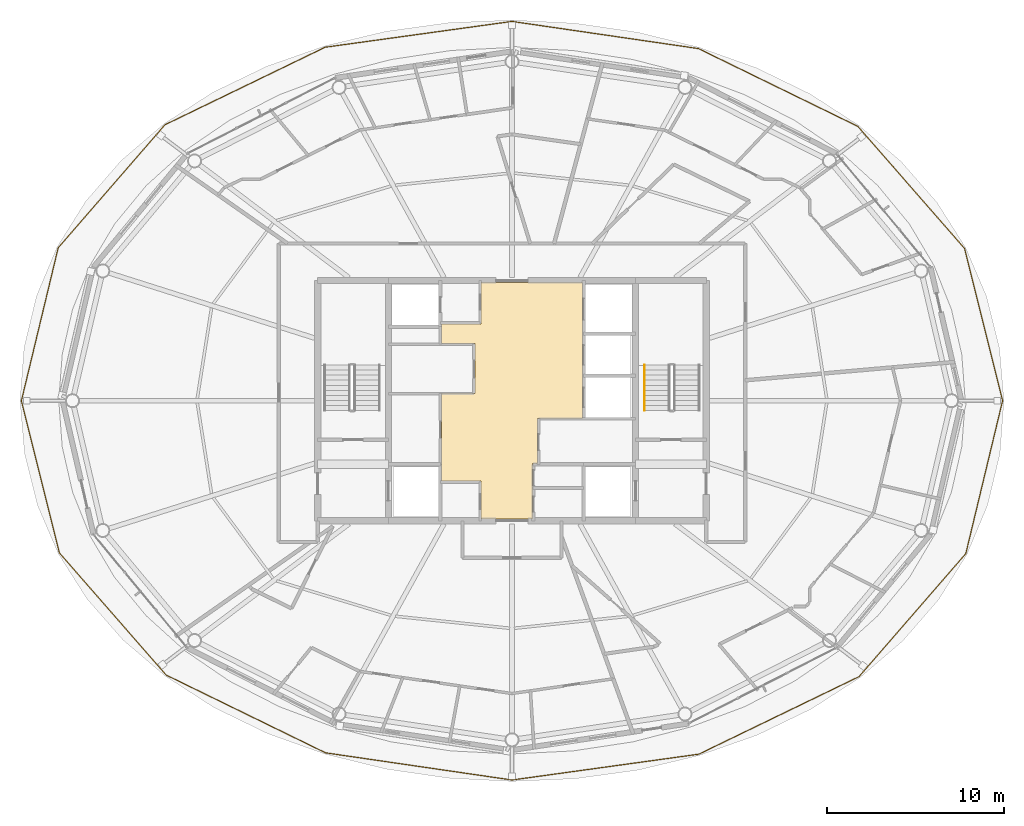
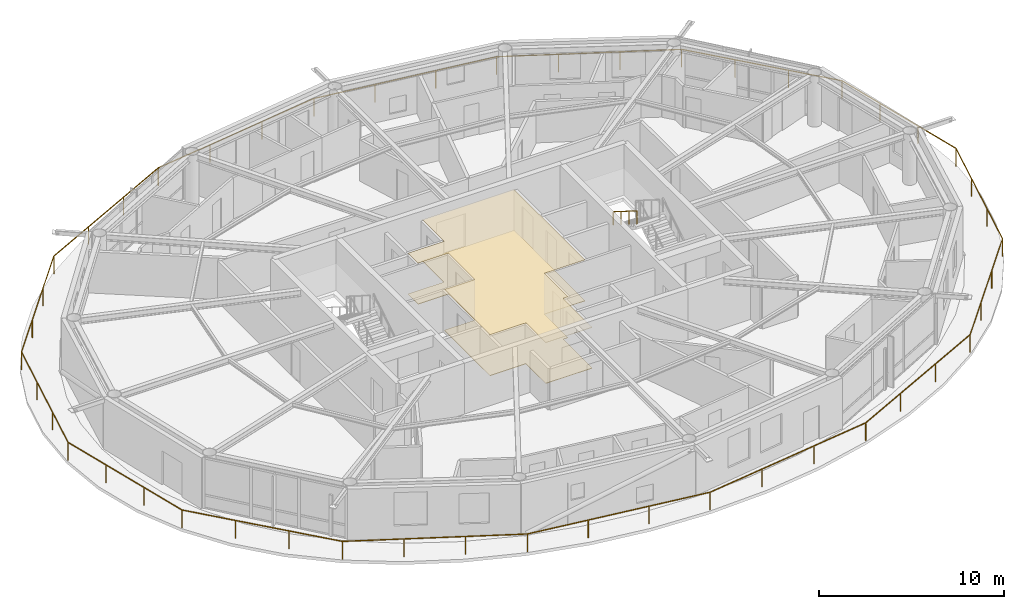
# One storey, part 22 of 23: 2 coverings, 2 railings.
"""IFC4 building model written with IfcOpenShell, lengths in metres."""

from ifc_helpers import new_model, si_unit, direction, frame, origin, origin_2d, place, context, subcontext, project, spatial, polyline, rectangle, outline, extrude, material, layer, layer_set, type_object, element, save


model = new_model("IFC4")

# Units and contexts
model_context = context("Model", 3, precision=1e-05, world=origin(), true_north=direction((0.0, 1.0)))
body_context = subcontext(model_context, "Body", "Model", "MODEL_VIEW")
ifc_project = project(units=[si_unit("LENGTHUNIT", "METRE"), si_unit("AREAUNIT", "SQUARE_METRE"), si_unit("VOLUMEUNIT", "CUBIC_METRE"), si_unit("PLANEANGLEUNIT", "RADIAN"), si_unit("MASSUNIT", "GRAM", prefix="KILO")], contexts=[model_context])

# Site, building, storey
site_placement = place(None, origin())
site = spatial("IfcSite", under=ifc_project, at=site_placement, CompositionType="ELEMENT")
building_placement = place(site_placement, origin())
building = spatial("IfcBuilding", under=site, at=building_placement, Name="Sarneth Arch Tower", CompositionType="ELEMENT")
storey_placement = place(building_placement, frame((0.0, 0.0, 273.0)))
storey = spatial("IfcBuildingStorey", under=building, at=storey_placement, Name="L70", CompositionType="ELEMENT", Elevation=273.0)

# Coverings
ifc_material_1 = material(Name="Perforated acoustic gypsum ceiling board")
ifc_layer_1 = layer(ifc_material_1, 0.02490234375)
ifc_layer_set_1 = layer_set([ifc_layer_1], Name="Perforated acoustic gypsum ceiling board")
covering_type_1 = type_object("IfcCoveringType", Name="COV-CEIL-GYP", PredefinedType="CEILING", material=ifc_layer_set_1)
covering_1_placement = place(storey_placement, frame((0.0, 0.0, 2.699951171875)))
element("IfcCovering", 1, at=covering_1_placement, inside=storey, type_object=covering_type_1, Name="L70 Lift lobby acoustic ceiling", PredefinedType="CEILING", context=body_context, shape_type="SweptSolid", body=[
    extrude(outline(polyline([(49.449951171875, 41.0), (49.449951171875, 38.449951171875), (49.14990234375, 38.449951171875), (49.14990234375, 35.300048828125), (46.25, 35.300048828125), (46.25, 37.449951171875), (44.0, 37.449951171875), (44.0, 42.39990234375), (45.89990234375, 42.39990234375), (45.89990234375, 45.25), (44.0, 45.25), (44.0, 46.35009765625), (46.25, 46.35009765625), (46.25, 48.699951171875), (52.0, 48.699951171875), (52.0, 41.0), (49.449951171875, 41.0)])), origin(), (0.0, 0.0, 1.0), 0.030029296875),
])
ifc_material_2 = material(Name="Honed granite stone flooring", Category="masonry")
ifc_layer_2 = layer(ifc_material_2, 0.030029296875)
ifc_layer_set_2 = layer_set([ifc_layer_2], Name="Honed granite stone flooring")
covering_type_2 = type_object("IfcCoveringType", Name="COV-FLR-STONE", PredefinedType="FLOORING", material=ifc_layer_set_2)
covering_2_placement = place(storey_placement, origin())
element("IfcCovering", 2, at=covering_2_placement, inside=storey, type_object=covering_type_2, Name="L70 Lift lobby granite flooring", PredefinedType="FLOORING", context=body_context, shape_type="SweptSolid", body=[
    extrude(outline(polyline([(49.449951171875, 41.0), (49.449951171875, 38.449951171875), (49.14990234375, 38.449951171875), (49.14990234375, 35.300048828125), (46.25, 35.300048828125), (46.25, 37.449951171875), (44.0, 37.449951171875), (44.0, 42.39990234375), (45.89990234375, 42.39990234375), (45.89990234375, 45.25), (44.0, 45.25), (44.0, 46.35009765625), (46.25, 46.35009765625), (46.25, 48.699951171875), (52.0, 48.699951171875), (52.0, 41.0), (49.449951171875, 41.0)])), origin(), (0.0, 0.0, 1.0), 0.030029296875),
])

# Railings
ifc_material_3 = material(Name="Laminated structural glass infill with Stainless Steel 316 top rail and posts", Category="steel")
railing_type_1 = type_object("IfcRailingType", Name="RAIL-BALC-1200", PredefinedType="BALUSTRADE", material=ifc_material_3)
railing_1_placement = place(storey_placement, frame((75.77587890625, 42.0, 0.0)))
element("IfcRailing", 3, at=railing_1_placement, inside=storey, type_object=railing_type_1, Name="L70 Helical balcony glass balustrade", PredefinedType="BALUSTRADE", context=body_context, shape_type="SweptSolid", body=[
    extrude(rectangle(XDim=0.048095703125, YDim=0.048095703125, at=origin_2d()), frame((0.0, 0.0, 1.17578125), z_axis=(-0.242322241881, 0.970195821002, 0.0), x_axis=(-0.970195821002, -0.242322241881, 0.0)), (0.0, 0.0, 1.0), 8.88427734375),
    extrude(rectangle(XDim=0.048095703125, YDim=0.048095703125, at=origin_2d()), frame((-2.15283203125, 8.619384765625, 1.17578125), z_axis=(-0.658067679289, 0.752958783384, 0.0), x_axis=(-0.752958783384, -0.658067679289, 0.0)), (0.0, 0.0, 1.0), 9.179931640625),
    extrude(rectangle(XDim=0.048095703125, YDim=0.048095703125, at=origin_2d()), frame((-8.19384765625, 15.531494140625, 1.17578125), z_axis=(-0.898730601607, 0.438501203802, 0.0), x_axis=(-0.438501203802, -0.898730601607, 0.0)), (0.0, 0.0, 1.0), 10.045166015625),
    extrude(rectangle(XDim=0.048095703125, YDim=0.048095703125, at=origin_2d()), frame((-17.2216796875, 19.936279296875, 1.17578125), z_axis=(-0.989540742628, 0.144253660885, 0.0), x_axis=(-0.144253660885, -0.989540742628, 0.0)), (0.0, 0.0, 1.0), 10.665771484375),
    extrude(rectangle(XDim=0.048095703125, YDim=0.048095703125, at=origin_2d()), frame((-27.77587890625, 21.474853515625, 1.17578125), z_axis=(-0.990578611363, -0.136945298238, 0.0), x_axis=(0.136945298238, -0.990578611363, 0.0)), (0.0, 0.0, 1.0), 10.6787109375),
    extrude(rectangle(XDim=0.048095703125, YDim=0.048095703125, at=origin_2d()), frame((-38.35400390625, 20.012451171875, 1.17578125), z_axis=(-0.900108693958, -0.435665398053, 0.0), x_axis=(0.435665398053, -0.900108693958, 0.0)), (0.0, 0.0, 1.0), 10.07861328125),
    extrude(rectangle(XDim=0.048095703125, YDim=0.048095703125, at=origin_2d()), frame((-47.42578125, 15.62158203125, 1.17578125), z_axis=(-0.655413300082, -0.755270419172, 0.0), x_axis=(0.755270419172, -0.655413300082, 0.0)), (0.0, 0.0, 1.0), 9.2197265625),
    extrude(rectangle(XDim=0.048095703125, YDim=0.048095703125, at=origin_2d()), frame((-53.468505859375, 8.658203125, 1.17578125), z_axis=(-0.23393386754, -0.972252511243, 0.0), x_axis=(0.972252511243, -0.23393386754, 0.0)), (0.0, 0.0, 1.0), 8.9052734375),
    extrude(rectangle(XDim=0.048095703125, YDim=0.048095703125, at=origin_2d()), frame((-55.5517578125, 0.0, 1.17578125), z_axis=(0.242322241881, -0.970195821002, 0.0), x_axis=(0.970195821002, 0.242322241881, 0.0)), (0.0, 0.0, 1.0), 8.88427734375),
    extrude(rectangle(XDim=0.048095703125, YDim=0.048095703125, at=origin_2d()), frame((-53.39892578125, -8.619384765625, 1.17578125), z_axis=(0.658067679289, -0.752958783384, 0.0), x_axis=(0.752958783384, 0.658067679289, 0.0)), (0.0, 0.0, 1.0), 9.179931640625),
    extrude(rectangle(XDim=0.048095703125, YDim=0.048095703125, at=origin_2d()), frame((-47.35791015625, -15.531494140625, 1.17578125), z_axis=(0.898730601607, -0.438501203802, 0.0), x_axis=(0.438501203802, 0.898730601607, 0.0)), (0.0, 0.0, 1.0), 10.045166015625),
    extrude(rectangle(XDim=0.048095703125, YDim=0.048095703125, at=origin_2d()), frame((-38.330078125, -19.936279296875, 1.17578125), z_axis=(0.989540742628, -0.144253660885, 0.0), x_axis=(0.144253660885, 0.989540742628, 0.0)), (0.0, 0.0, 1.0), 10.665771484375),
    extrude(rectangle(XDim=0.048095703125, YDim=0.048095703125, at=origin_2d()), frame((-27.77587890625, -21.474853515625, 1.17578125), z_axis=(0.990578611363, 0.136945298238, 0.0), x_axis=(-0.136945298238, 0.990578611363, 0.0)), (0.0, 0.0, 1.0), 10.6787109375),
    extrude(rectangle(XDim=0.048095703125, YDim=0.048095703125, at=origin_2d()), frame((-17.19775390625, -20.012451171875, 1.17578125), z_axis=(0.900108693958, 0.435665398053, 0.0), x_axis=(-0.435665398053, 0.900108693958, 0.0)), (0.0, 0.0, 1.0), 10.07861328125),
    extrude(rectangle(XDim=0.048095703125, YDim=0.048095703125, at=origin_2d()), frame((-8.1259765625, -15.62158203125, 1.17578125), z_axis=(0.655413300082, 0.755270419172, 0.0), x_axis=(-0.755270419172, 0.655413300082, 0.0)), (0.0, 0.0, 1.0), 9.2197265625),
    extrude(rectangle(XDim=0.048095703125, YDim=0.048095703125, at=origin_2d()), frame((-2.083251953125, -8.658203125, 1.17578125), z_axis=(0.23393386754, 0.972252511243, 0.0), x_axis=(-0.972252511243, 0.23393386754, 0.0)), (0.0, 0.0, 1.0), 8.9052734375),
    extrude(rectangle(XDim=0.0419921875, YDim=0.0419921875, at=origin_2d()), origin(), (0.0, 0.0, 1.0), 1.15185546875),
    extrude(rectangle(XDim=0.0419921875, YDim=0.0419921875, at=origin_2d()), frame((-0.717529296875, 2.873046875, 0.0)), (0.0, 0.0, 1.0), 1.15185546875),
    extrude(rectangle(XDim=0.0419921875, YDim=0.0419921875, at=origin_2d()), frame((-1.435302734375, 5.746337890625, 0.0)), (0.0, 0.0, 1.0), 1.15185546875),
    extrude(rectangle(XDim=0.0419921875, YDim=0.0419921875, at=origin_2d()), frame((-2.15283203125, 8.619384765625, 0.0)), (0.0, 0.0, 1.0), 1.15185546875),
    extrude(rectangle(XDim=0.0419921875, YDim=0.0419921875, at=origin_2d()), frame((-4.16650390625, 10.92333984375, 0.0)), (0.0, 0.0, 1.0), 1.15185546875),
    extrude(rectangle(XDim=0.0419921875, YDim=0.0419921875, at=origin_2d()), frame((-6.18017578125, 13.2275390625, 0.0)), (0.0, 0.0, 1.0), 1.15185546875),
    extrude(rectangle(XDim=0.0419921875, YDim=0.0419921875, at=origin_2d()), frame((-8.19384765625, 15.531494140625, 0.0)), (0.0, 0.0, 1.0), 1.15185546875),
    extrude(rectangle(XDim=0.0419921875, YDim=0.0419921875, at=origin_2d()), frame((-11.203125, 16.999755859375, 0.0)), (0.0, 0.0, 1.0), 1.15185546875),
    extrude(rectangle(XDim=0.0419921875, YDim=0.0419921875, at=origin_2d()), frame((-14.21240234375, 18.468017578125, 0.0)), (0.0, 0.0, 1.0), 1.15185546875),
    extrude(rectangle(XDim=0.0419921875, YDim=0.0419921875, at=origin_2d()), frame((-17.2216796875, 19.936279296875, 0.0)), (0.0, 0.0, 1.0), 1.15185546875),
    extrude(rectangle(XDim=0.0419921875, YDim=0.0419921875, at=origin_2d()), frame((-20.73974609375, 20.44921875, 0.0)), (0.0, 0.0, 1.0), 1.15185546875),
    extrude(rectangle(XDim=0.0419921875, YDim=0.0419921875, at=origin_2d()), frame((-24.2578125, 20.9619140625, 0.0)), (0.0, 0.0, 1.0), 1.15185546875),
    extrude(rectangle(XDim=0.0419921875, YDim=0.0419921875, at=origin_2d()), frame((-27.77587890625, 21.474853515625, 0.0)), (0.0, 0.0, 1.0), 1.15185546875),
    extrude(rectangle(XDim=0.0419921875, YDim=0.0419921875, at=origin_2d()), frame((-31.302001953125, 20.9873046875, 0.0)), (0.0, 0.0, 1.0), 1.15185546875),
    extrude(rectangle(XDim=0.0419921875, YDim=0.0419921875, at=origin_2d()), frame((-34.827880859375, 20.5, 0.0)), (0.0, 0.0, 1.0), 1.15185546875),
    extrude(rectangle(XDim=0.0419921875, YDim=0.0419921875, at=origin_2d()), frame((-38.35400390625, 20.012451171875, 0.0)), (0.0, 0.0, 1.0), 1.15185546875),
    extrude(rectangle(XDim=0.0419921875, YDim=0.0419921875, at=origin_2d()), frame((-41.3779296875, 18.548828125, 0.0)), (0.0, 0.0, 1.0), 1.15185546875),
    extrude(rectangle(XDim=0.0419921875, YDim=0.0419921875, at=origin_2d()), frame((-44.40185546875, 17.085205078125, 0.0)), (0.0, 0.0, 1.0), 1.15185546875),
    extrude(rectangle(XDim=0.0419921875, YDim=0.0419921875, at=origin_2d()), frame((-47.42578125, 15.62158203125, 0.0)), (0.0, 0.0, 1.0), 1.15185546875),
    extrude(rectangle(XDim=0.0419921875, YDim=0.0419921875, at=origin_2d()), frame((-49.43994140625, 13.300537109375, 0.0)), (0.0, 0.0, 1.0), 1.15185546875),
    extrude(rectangle(XDim=0.0419921875, YDim=0.0419921875, at=origin_2d()), frame((-51.454345703125, 10.979248046875, 0.0)), (0.0, 0.0, 1.0), 1.15185546875),
    extrude(rectangle(XDim=0.0419921875, YDim=0.0419921875, at=origin_2d()), frame((-53.468505859375, 8.658203125, 0.0)), (0.0, 0.0, 1.0), 1.15185546875),
    extrude(rectangle(XDim=0.0419921875, YDim=0.0419921875, at=origin_2d()), frame((-54.162841796875, 5.772216796875, 0.0)), (0.0, 0.0, 1.0), 1.15185546875),
    extrude(rectangle(XDim=0.0419921875, YDim=0.0419921875, at=origin_2d()), frame((-54.857421875, 2.885986328125, 0.0)), (0.0, 0.0, 1.0), 1.15185546875),
    extrude(rectangle(XDim=0.0419921875, YDim=0.0419921875, at=origin_2d()), frame((-55.5517578125, 0.0, 0.0)), (0.0, 0.0, 1.0), 1.15185546875),
    extrude(rectangle(XDim=0.0419921875, YDim=0.0419921875, at=origin_2d()), frame((-54.834228515625, -2.873046875, 0.0)), (0.0, 0.0, 1.0), 1.15185546875),
    extrude(rectangle(XDim=0.0419921875, YDim=0.0419921875, at=origin_2d()), frame((-54.116455078125, -5.746337890625, 0.0)), (0.0, 0.0, 1.0), 1.15185546875),
    extrude(rectangle(XDim=0.0419921875, YDim=0.0419921875, at=origin_2d()), frame((-53.39892578125, -8.619384765625, 0.0)), (0.0, 0.0, 1.0), 1.15185546875),
    extrude(rectangle(XDim=0.0419921875, YDim=0.0419921875, at=origin_2d()), frame((-51.38525390625, -10.92333984375, 0.0)), (0.0, 0.0, 1.0), 1.15185546875),
    extrude(rectangle(XDim=0.0419921875, YDim=0.0419921875, at=origin_2d()), frame((-49.37158203125, -13.2275390625, 0.0)), (0.0, 0.0, 1.0), 1.15185546875),
    extrude(rectangle(XDim=0.0419921875, YDim=0.0419921875, at=origin_2d()), frame((-47.35791015625, -15.531494140625, 0.0)), (0.0, 0.0, 1.0), 1.15185546875),
    extrude(rectangle(XDim=0.0419921875, YDim=0.0419921875, at=origin_2d()), frame((-44.3486328125, -16.999755859375, 0.0)), (0.0, 0.0, 1.0), 1.15185546875),
    extrude(rectangle(XDim=0.0419921875, YDim=0.0419921875, at=origin_2d()), frame((-41.33935546875, -18.468017578125, 0.0)), (0.0, 0.0, 1.0), 1.15185546875),
    extrude(rectangle(XDim=0.0419921875, YDim=0.0419921875, at=origin_2d()), frame((-38.330078125, -19.936279296875, 0.0)), (0.0, 0.0, 1.0), 1.15185546875),
    extrude(rectangle(XDim=0.0419921875, YDim=0.0419921875, at=origin_2d()), frame((-34.81201171875, -20.44921875, 0.0)), (0.0, 0.0, 1.0), 1.15185546875),
    extrude(rectangle(XDim=0.0419921875, YDim=0.0419921875, at=origin_2d()), frame((-31.2939453125, -20.9619140625, 0.0)), (0.0, 0.0, 1.0), 1.15185546875),
    extrude(rectangle(XDim=0.0419921875, YDim=0.0419921875, at=origin_2d()), frame((-27.77587890625, -21.474853515625, 0.0)), (0.0, 0.0, 1.0), 1.15185546875),
    extrude(rectangle(XDim=0.0419921875, YDim=0.0419921875, at=origin_2d()), frame((-24.249755859375, -20.9873046875, 0.0)), (0.0, 0.0, 1.0), 1.15185546875),
    extrude(rectangle(XDim=0.0419921875, YDim=0.0419921875, at=origin_2d()), frame((-20.723876953125, -20.5, 0.0)), (0.0, 0.0, 1.0), 1.15185546875),
    extrude(rectangle(XDim=0.0419921875, YDim=0.0419921875, at=origin_2d()), frame((-17.19775390625, -20.012451171875, 0.0)), (0.0, 0.0, 1.0), 1.15185546875),
    extrude(rectangle(XDim=0.0419921875, YDim=0.0419921875, at=origin_2d()), frame((-14.173828125, -18.548828125, 0.0)), (0.0, 0.0, 1.0), 1.15185546875),
    extrude(rectangle(XDim=0.0419921875, YDim=0.0419921875, at=origin_2d()), frame((-11.14990234375, -17.085205078125, 0.0)), (0.0, 0.0, 1.0), 1.15185546875),
    extrude(rectangle(XDim=0.0419921875, YDim=0.0419921875, at=origin_2d()), frame((-8.1259765625, -15.62158203125, 0.0)), (0.0, 0.0, 1.0), 1.15185546875),
    extrude(rectangle(XDim=0.0419921875, YDim=0.0419921875, at=origin_2d()), frame((-6.11181640625, -13.300537109375, 0.0)), (0.0, 0.0, 1.0), 1.15185546875),
    extrude(rectangle(XDim=0.0419921875, YDim=0.0419921875, at=origin_2d()), frame((-4.097412109375, -10.979248046875, 0.0)), (0.0, 0.0, 1.0), 1.15185546875),
    extrude(rectangle(XDim=0.0419921875, YDim=0.0419921875, at=origin_2d()), frame((-2.083251953125, -8.658203125, 0.0)), (0.0, 0.0, 1.0), 1.15185546875),
    extrude(rectangle(XDim=0.0419921875, YDim=0.0419921875, at=origin_2d()), frame((-1.388916015625, -5.772216796875, 0.0)), (0.0, 0.0, 1.0), 1.15185546875),
    extrude(rectangle(XDim=0.0419921875, YDim=0.0419921875, at=origin_2d()), frame((-0.6943359375, -2.885986328125, 0.0)), (0.0, 0.0, 1.0), 1.15185546875),
])
ifc_material_4 = material(Name="Brushed Stainless Steel 304 tubular handrail", Category="steel")
railing_type_2 = type_object("IfcRailingType", Name="RAIL-HANDRAIL-900", PredefinedType="HANDRAIL", material=ifc_material_4)
railing_2_placement = place(storey_placement, frame((55.5, 44.014892578125, 1.97998046875)))
element("IfcRailing", 4, at=railing_2_placement, inside=storey, type_object=railing_type_2, Name="L70 ST-2 stair handrail 2", PredefinedType="HANDRAIL", context=body_context, shape_type="SweptSolid", body=[
    extrude(rectangle(XDim=0.048095703125, YDim=0.048095703125, at=origin_2d()), frame((0.0, 0.0, 0.8759765625), z_axis=(0.0, -0.845465955043, 0.534029323973), x_axis=(1.0, 0.0, 0.0)), (0.0, 0.0, 1.0), 3.03369140625),
    extrude(rectangle(XDim=0.0419921875, YDim=0.0419921875, at=origin_2d()), origin(), (0.0, 0.0, 1.0), 0.851806640625),
    extrude(rectangle(XDim=0.0419921875, YDim=0.0419921875, at=origin_2d()), frame((0.0, -0.85498046875, 0.5400390625)), (0.0, 0.0, 1.0), 0.851806640625),
    extrude(rectangle(XDim=0.0419921875, YDim=0.0419921875, at=origin_2d()), frame((0.0, -1.7099609375, 1.080078125)), (0.0, 0.0, 1.0), 0.851806640625),
    extrude(rectangle(XDim=0.0419921875, YDim=0.0419921875, at=origin_2d()), frame((0.0, -2.56494140625, 1.6201171875)), (0.0, 0.0, 1.0), 0.851806640625),
])

save(model, "model.ifc")
